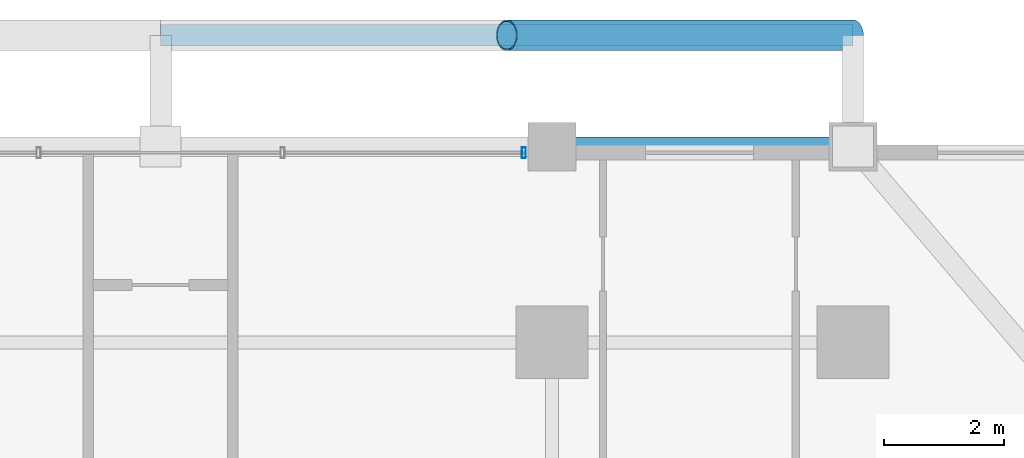
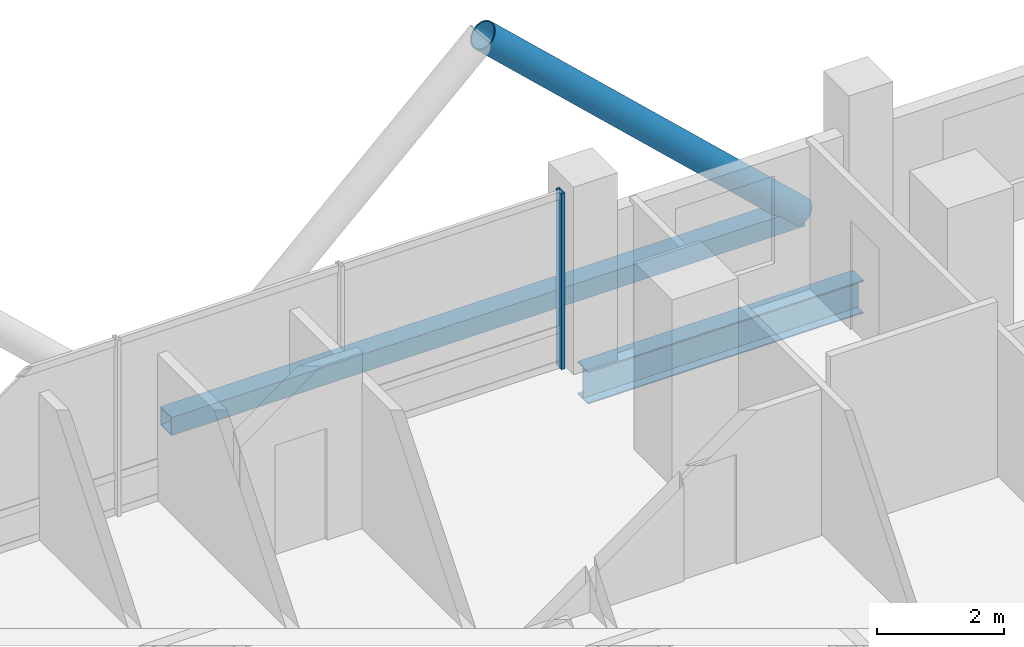
# One storey, part 16 of 24: 3 members, 1 beam, 1 element without a shape of its own.
"""IFC4 building model written with IfcOpenShell, lengths in metres."""

from ifc_helpers import new_model, si_unit, direction, frame, origin, origin_2d, place, context, subcontext, project, spatial, hollow_rectangle, hollow_circle, i_section, extrude, material, layer, layer_set, material_profile, profile_set, type_object, element, aggregate, save


model = new_model("IFC4")

# Units and contexts
model_context = context("Model", 3, precision=1e-05, world=origin(), true_north=direction((0.0, 1.0)))
body_context = subcontext(model_context, "Body", "Model", "MODEL_VIEW")
ifc_project = project(units=[si_unit("LENGTHUNIT", "METRE"), si_unit("AREAUNIT", "SQUARE_METRE"), si_unit("VOLUMEUNIT", "CUBIC_METRE"), si_unit("PLANEANGLEUNIT", "RADIAN"), si_unit("MASSUNIT", "GRAM", prefix="KILO")], contexts=[model_context])

# Site, building, storey
site_placement = place(None, origin())
site = spatial("IfcSite", under=ifc_project, at=site_placement, CompositionType="ELEMENT")
building_placement = place(site_placement, origin())
building = spatial("IfcBuilding", under=site, at=building_placement, Name="Barlavira Tower and Art Museum", CompositionType="ELEMENT")
storey_placement = place(building_placement, frame((0.0, 0.0, 154.800048828125)))
storey = spatial("IfcBuildingStorey", under=building, at=storey_placement, Name="L39", CompositionType="ELEMENT", Elevation=154.800048828125)

# Curtain wall, member
ifc_material_1 = material(Name="Low-iron coastal laminated glass", Category="glass")
ifc_layer = layer(ifc_material_1, 0.18994140625, Name="Low-iron coastal laminated glass")
ifc_layer_set = layer_set([ifc_layer], Name="Low-iron coastal laminated glass")
curtain_wall_type = type_object("IfcCurtainWallType", Name="Pale-Metal Unitised Curtain Wall Zone 2", PredefinedType="NOTDEFINED", material=ifc_layer_set)
curtain_wall_placement = place(storey_placement, origin())
curtain_wall = element("IfcCurtainWall", 1, at=curtain_wall_placement, inside=storey, type_object=curtain_wall_type, Name="L39 Curtain Wall CW2-L39-N-B3", PredefinedType="NOTDEFINED")
ifc_material_2 = material(Name="Pale anodised aluminium", Category="aluminium")
ifc_material_profile_1 = material_profile(ifc_material_2, hollow_rectangle(XDim=0.06494140625, YDim=0.179931640625, WallThickness=0.00390625, at=origin_2d()), Name="ALU-MULL 65x180x4")
ifc_profile_set_1 = profile_set([ifc_material_profile_1], Name="Pale anodised aluminium")
member_type_1 = type_object("IfcMemberType", Name="Curtain Wall Pale-Metal Mullion 65x180", PredefinedType="MULLION", material=ifc_profile_set_1)
member_1_placement = place(storey_placement, frame((6.034912109375, 23.14990234375, 0.0), z_axis=(0.0, 0.0, 1.0), x_axis=(-1.0, 0.0, 0.0)))
member_1 = element("IfcMember", 2, at=member_1_placement, type_object=member_type_1, Name="CW2-L39-N-B3 Mullion 0", PredefinedType="MULLION", context=body_context, shape_type="SweptSolid", body=[
    extrude(hollow_rectangle(XDim=0.06494140625, YDim=0.179931640625, WallThickness=0.00390625, at=origin_2d()), origin(), (0.0, 0.0, 1.0), 3.3798828125),
])
aggregate(curtain_wall, [member_1])

# Members
ifc_material_3 = material(Name="Steel S355", Category="steel")
ifc_material_profile_2 = material_profile(ifc_material_3, hollow_circle(Radius=0.25390625, WallThickness=0.022216796875, at=origin_2d()), Name="CHS 508.0x22.2")
ifc_profile_set_2 = profile_set([ifc_material_profile_2], Name="Steel S355")
member_type_2 = type_object("IfcMemberType", Name="Pale-Metal Exoskeleton Diagrid Tube CHS 508x22 Steel S355", PredefinedType="BRACE", material=ifc_profile_set_2)
member_2_placement = place(storey_placement, frame((11.5, 25.10009765625, -0.1201171875), z_axis=(-0.728934650808, 0.0, 0.684583285548), x_axis=(0.0, -1.0, 0.0)))
element("IfcMember", 3, at=member_2_placement, inside=storey, type_object=member_type_2, Name="L39 Exoskeleton Diagrid Tube N", PredefinedType="BRACE", context=body_context, shape_type="SweptSolid", body=[
    extrude(hollow_circle(Radius=0.25390625, WallThickness=0.022216796875, at=origin_2d()), origin(), (0.0, 0.0, 1.0), 7.88818359375),
])
ifc_material_profile_3 = material_profile(ifc_material_3, hollow_rectangle(XDim=0.35009765625, YDim=0.35009765625, WallThickness=0.02001953125, at=origin_2d()), Name="SHS 350x350x20.0")
ifc_profile_set_3 = profile_set([ifc_material_profile_3], Name="Steel S355")
member_type_3 = type_object("IfcMemberType", Name="Pale-Metal Exoskeleton Ring Strut SHS 350x350x20 Steel S355", PredefinedType="STRUT", material=ifc_profile_set_3)
member_3_placement = place(storey_placement, frame((0.0, 25.10009765625, -0.1201171875), z_axis=(1.0, 0.0, 0.0), x_axis=(0.0, 1.0, 0.0)))
element("IfcMember", 4, at=member_3_placement, inside=storey, type_object=member_type_3, Name="L39 Exoskeleton Ring Strut N", PredefinedType="STRUT", context=body_context, shape_type="SweptSolid", body=[
    extrude(hollow_rectangle(XDim=0.35009765625, YDim=0.35009765625, WallThickness=0.02001953125, at=origin_2d()), origin(), (0.0, 0.0, 1.0), 11.5),
])

# Beam
ifc_material_profile_4 = material_profile(ifc_material_3, i_section(OverallWidth=0.327880859375, OverallDepth=0.62890625, WebThickness=0.013916015625, FlangeThickness=0.021484375, at=origin_2d()), Name="W610x174.0")
ifc_profile_set_4 = profile_set([ifc_material_profile_4], Name="Steel S355")
beam_type = type_object("IfcBeamType", Name="Perimeter Spandrel Edge Beam W610x174 Steel S355", PredefinedType="SPANDREL", material=ifc_profile_set_4)
beam_placement = place(storey_placement, frame((6.5, 23.25, -0.53466796875), z_axis=(1.0, 0.0, 0.0), x_axis=(0.0, 1.0, 0.0)))
element("IfcBeam", 5, at=beam_placement, inside=storey, type_object=beam_type, Name="L39 Spandrel 9", PredefinedType="SPANDREL", context=body_context, shape_type="SweptSolid", body=[
    extrude(i_section(OverallWidth=0.327880859375, OverallDepth=0.62890625, WebThickness=0.013916015625, FlangeThickness=0.021484375, at=origin_2d()), origin(), (0.0, 0.0, 1.0), 5.0),
])

save(model, "model.ifc")
